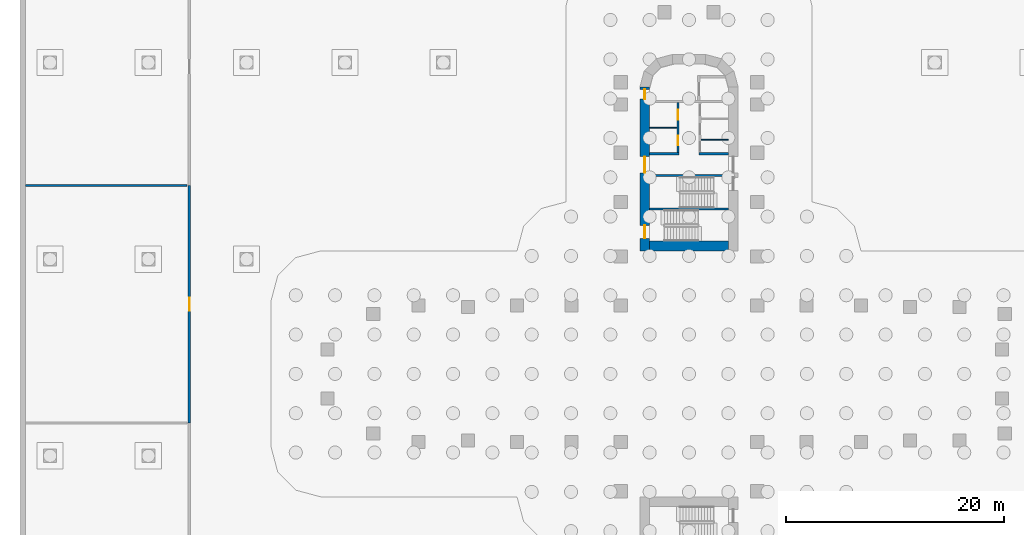
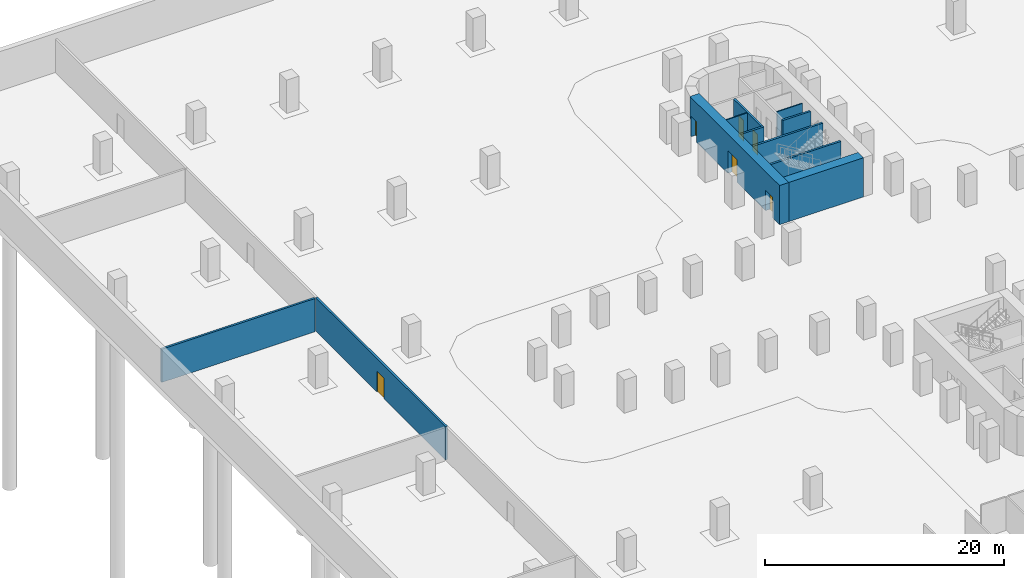
# One storey, part 10 of 14: 11 walls, 6 doors, 6 openings.
"""IFC4 building model written with IfcOpenShell, lengths in metres."""

from ifc_helpers import new_model, si_unit, direction, frame, frame_2d, origin, place, context, subcontext, project, spatial, rectangle, extrude, material, layer, layer_set, type_object, element, fill, save


model = new_model("IFC4")

# Units and contexts
model_context = context("Model", 3, precision=1e-05, world=origin(), true_north=direction((0.0, 1.0)))
body_context = subcontext(model_context, "Body", "Model", "MODEL_VIEW")
ifc_project = project(units=[si_unit("LENGTHUNIT", "METRE"), si_unit("AREAUNIT", "SQUARE_METRE"), si_unit("VOLUMEUNIT", "CUBIC_METRE"), si_unit("PLANEANGLEUNIT", "RADIAN"), si_unit("MASSUNIT", "GRAM", prefix="KILO")], contexts=[model_context])

# Site, building, storey
site_placement = place(None, origin())
site = spatial("IfcSite", under=ifc_project, at=site_placement, CompositionType="ELEMENT")
building_placement = place(site_placement, origin())
building = spatial("IfcBuilding", under=site, at=building_placement, Name="Zarbagh Exchange Tower", CompositionType="ELEMENT")
storey_placement = place(building_placement, frame((0.0, 0.0, -8.0)))
storey = spatial("IfcBuildingStorey", under=building, at=storey_placement, Name="B2", CompositionType="ELEMENT", Elevation=-8.0)

# Walls
ifc_material_1 = material(Name="Dense blockwork", Category="masonry")
ifc_layer_1 = layer(ifc_material_1, 0.10009765625)
ifc_layer_set_1 = layer_set([ifc_layer_1], Name="Core partition 100 mm blockwork")
wall_type_1 = type_object("IfcWallType", Name="Core partition 100 mm blockwork", PredefinedType="PARTITIONING", material=ifc_layer_set_1)
for number, where, z_axis, x_axis, name in (
    (1, (-3.60009765625, 22.550048828125, 0.0), (0.0, 0.0, 1.0), (1.0, 0.0, 0.0), "North core partition wall CUT-W-580"),
    (2, (1.10009765625, 21.449951171875, 0.0), (0.0, 0.0, 1.0), (1.0, 0.0, 0.0), "North core partition wall CUT-E-690"),
):
    element("IfcWall", number, at=place(storey_placement, frame(where, z_axis=z_axis, x_axis=x_axis)), inside=storey, type_object=wall_type_1, Name=name, PredefinedType="PARTITIONING", context=body_context, shape_type="SweptSolid", body=[
        extrude(rectangle(XDim=2.5, YDim=0.10009765625, at=frame_2d((1.25, 0.0))), origin(), (0.0, 0.0, 1.0), 3.39990234375),
    ])

# Wall, opening, door
ifc_material_2 = material(Name="Concrete block partition", Category="concrete")
ifc_layer_2 = layer(ifc_material_2, 0.199951171875)
ifc_layer_set_2 = layer_set([ifc_layer_2], Name="Fire-rated block partition 200 EI 120")
wall_type_2 = type_object("IfcWallType", Name="Fire-rated block partition 200 EI 120", PredefinedType="PARTITIONING", material=ifc_layer_set_2)
wall_1_placement = place(storey_placement, frame((-45.75, -4.5, 0.0), z_axis=(0.0, 0.0, 1.0), x_axis=(0.0, 1.0, 0.0)))
wall_1 = element("IfcWall", 3, at=wall_1_placement, inside=storey, type_object=wall_type_2, Name="WL-B2-W004", PredefinedType="PARTITIONING", context=body_context, shape_type="SweptSolid", body=[
    extrude(rectangle(XDim=21.75, YDim=0.199951171875, at=frame_2d((10.875, 0.0))), origin(), (0.0, 0.0, 1.0), 3.39990234375),
])
opening_1_placement = place(wall_1_placement, frame((10.27490234375, 0.0, 0.0)))
opening_1 = element("IfcOpeningElement", 4, at=opening_1_placement, cuts=wall_1, Name="Opening D39", PredefinedType="OPENING", context=body_context, shape_type="SweptSolid", body=[
    extrude(rectangle(XDim=1.199951171875, YDim=2.10009765625, at=frame_2d((0.60009765625, 1.050048828125))), frame((0.0, 0.10986328125, 0.0), z_axis=(0.0, -1.0, 0.0), x_axis=(1.0, 0.0, 0.0)), (0.0, 0.0, 1.0), 0.219970703125),
])
ifc_material_3 = material(Name="Steel door set", Category="steel")
door_type_1 = type_object("IfcDoorType", Name="Door single 1200x2100 EI 120", OperationType="SINGLE_SWING_LEFT", PredefinedType="DOOR", material=ifc_material_3)
door_1_placement = place(opening_1_placement, origin())
door_1 = element("IfcDoor", 5, at=door_1_placement, inside=storey, type_object=door_type_1, Name="D04", OperationType="SINGLE_SWING_LEFT", OverallHeight=2.10009765625, OverallWidth=1.199951171875, PredefinedType="DOOR", context=body_context, shape_type="SweptSolid", body=[
    extrude(rectangle(XDim=1.199951171875, YDim=2.10009765625, at=frame_2d((0.60009765625, 1.050048828125))), frame((0.0, 0.02490234375, 0.0), z_axis=(0.0, -1.0, 0.0), x_axis=(1.0, 0.0, 0.0)), (0.0, 0.0, 1.0), 0.050048828125),
])
fill(opening_1, door_1)

# Wall
wall_2_placement = place(storey_placement, frame((-60.75, 17.25, 0.0), z_axis=(0.0, 0.0, 1.0), x_axis=(1.0, 0.0, 0.0)))
element("IfcWall", 6, at=wall_2_placement, inside=storey, type_object=wall_type_2, Name="WL-B2-W012", PredefinedType="PARTITIONING", context=body_context, shape_type="SweptSolid", body=[
    extrude(rectangle(XDim=14.800048828125, YDim=0.199951171875, at=frame_2d((7.39990234375, 0.0))), origin(), (0.0, 0.0, 1.0), 3.39990234375),
])

# Wall, openings, doors
ifc_material_4 = material(Name="Concrete C60/75", Category="concrete")
ifc_layer_3 = layer(ifc_material_4, 0.89990234375)
ifc_layer_set_3 = layer_set([ifc_layer_3], Name="RC core wall 900 C60/75")
wall_type_3 = type_object("IfcWallType", Name="RC core wall 900 C60/75", PredefinedType="SHEAR", material=ifc_layer_set_3)
wall_3_placement = place(storey_placement, frame((-4.050048828125, 11.25, 0.0), z_axis=(0.0, 0.0, 1.0), x_axis=(0.0, 1.0, 0.0)))
wall_3 = element("IfcWall", 7, at=wall_3_placement, inside=storey, type_object=wall_type_3, Name="CW1 core N W", PredefinedType="SHEAR", context=body_context, shape_type="SweptSolid", body=[
    extrude(rectangle(XDim=15.0, YDim=0.89990234375, at=frame_2d((7.5, 0.0))), origin(), (0.0, 0.0, 1.0), 4.0),
])
opening_2_placement = place(wall_3_placement, frame((7.14990234375, 0.0, 0.0)))
opening_2 = element("IfcOpeningElement", 8, at=opening_2_placement, cuts=wall_3, Name="Opening CD1-1500", PredefinedType="OPENING", context=body_context, shape_type="SweptSolid", body=[
    extrude(rectangle(XDim=1.5, YDim=2.300048828125, at=frame_2d((0.75, 1.14990234375))), frame((0.0, 0.4599609375, 0.0), z_axis=(0.0, -1.0, 0.0), x_axis=(1.0, 0.0, 0.0)), (0.0, 0.0, 1.0), 0.919921875),
])
opening_3_placement = place(wall_3_placement, frame((13.89990234375, 0.0, 0.0)))
opening_3 = element("IfcOpeningElement", 9, at=opening_3_placement, cuts=wall_3, Name="Opening CD2-900", PredefinedType="OPENING", context=body_context, shape_type="SweptSolid", body=[
    extrude(rectangle(XDim=0.89990234375, YDim=2.10009765625, at=frame_2d((0.449951171875, 1.050048828125))), frame((0.0, 0.4599609375, 0.0), z_axis=(0.0, -1.0, 0.0), x_axis=(1.0, 0.0, 0.0)), (0.0, 0.0, 1.0), 0.919921875),
])
opening_4_placement = place(wall_3_placement, frame((1.14990234375, 0.0, 0.0)))
opening_4 = element("IfcOpeningElement", 10, at=opening_4_placement, cuts=wall_3, Name="Opening SD1-1200", PredefinedType="OPENING", context=body_context, shape_type="SweptSolid", body=[
    extrude(rectangle(XDim=1.199951171875, YDim=2.10009765625, at=frame_2d((0.60009765625, 1.050048828125))), frame((0.0, 0.4599609375, 0.0), z_axis=(0.0, -1.0, 0.0), x_axis=(1.0, 0.0, 0.0)), (0.0, 0.0, 1.0), 0.919921875),
])
ifc_material_5 = material(Name="Steel", Category="steel")
door_type_2 = type_object("IfcDoorType", Name="Exit stair door 1200 x 2100", OperationType="NOTDEFINED", PredefinedType="DOOR", material=ifc_material_5)
door_2_placement = place(opening_4_placement, origin())
door_2 = element("IfcDoor", 11, at=door_2_placement, inside=storey, type_object=door_type_2, Name="North core stair door ST2", OperationType="SINGLE_SWING_LEFT", OverallHeight=2.10009765625, OverallWidth=1.199951171875, PredefinedType="DOOR", context=body_context, shape_type="SweptSolid", body=[
    extrude(rectangle(XDim=1.199951171875, YDim=2.10009765625, at=frame_2d((0.60009765625, 1.050048828125))), frame((0.0, 0.02490234375, 0.0), z_axis=(0.0, -1.0, 0.0), x_axis=(1.0, 0.0, 0.0)), (0.0, 0.0, 1.0), 0.050048828125),
])
fill(opening_4, door_2)
door_type_3 = type_object("IfcDoorType", Name="Firefighting lobby door 900 x 2100", OperationType="NOTDEFINED", PredefinedType="DOOR", material=ifc_material_5)
door_3_placement = place(opening_3_placement, origin())
door_3 = element("IfcDoor", 12, at=door_3_placement, inside=storey, type_object=door_type_3, Name="North core firefighting lobby door FF-W", OperationType="SINGLE_SWING_LEFT", OverallHeight=2.10009765625, OverallWidth=0.89990234375, PredefinedType="DOOR", context=body_context, shape_type="SweptSolid", body=[
    extrude(rectangle(XDim=0.89990234375, YDim=2.10009765625, at=frame_2d((0.449951171875, 1.050048828125))), frame((0.0, 0.02490234375, 0.0), z_axis=(0.0, -1.0, 0.0), x_axis=(1.0, 0.0, 0.0)), (0.0, 0.0, 1.0), 0.050048828125),
])
fill(opening_3, door_3)
door_type_4 = type_object("IfcDoorType", Name="Lift lobby double door 1500 x 2300", OperationType="NOTDEFINED", PredefinedType="DOOR", material=ifc_material_5)
door_4_placement = place(opening_2_placement, origin())
door_4 = element("IfcDoor", 13, at=door_4_placement, inside=storey, type_object=door_type_4, Name="North core lift lobby door LOBBY-W", OperationType="DOUBLE_DOOR_SINGLE_SWING", OverallHeight=2.300048828125, OverallWidth=1.5, PredefinedType="DOOR", context=body_context, shape_type="SweptSolid", body=[
    extrude(rectangle(XDim=1.5, YDim=2.300048828125, at=frame_2d((0.75, 1.14990234375))), frame((0.0, 0.02490234375, 0.0), z_axis=(0.0, -1.0, 0.0), x_axis=(1.0, 0.0, 0.0)), (0.0, 0.0, 1.0), 0.050048828125),
])
fill(opening_2, door_4)

# Walls
wall_4_placement = place(storey_placement, frame((-3.60009765625, 11.699951171875, 0.0), z_axis=(0.0, 0.0, 1.0), x_axis=(1.0, 0.0, 0.0)))
element("IfcWall", 14, at=wall_4_placement, inside=storey, type_object=wall_type_3, Name="CW1 core N inner end", PredefinedType="SHEAR", context=body_context, shape_type="SweptSolid", body=[
    extrude(rectangle(XDim=7.2001953125, YDim=0.89990234375, at=frame_2d((3.60009765625, 0.0))), origin(), (0.0, 0.0, 1.0), 4.0),
])
ifc_layer_4 = layer(ifc_material_1, 0.199951171875)
ifc_layer_set_4 = layer_set([ifc_layer_4], Name="Shaft wall 200 mm blockwork")
wall_type_4 = type_object("IfcWallType", Name="Shaft wall 200 mm blockwork", PredefinedType="PARTITIONING", material=ifc_layer_set_4)
wall_5_placement = place(storey_placement, frame((-3.60009765625, 20.14990234375, 0.0), z_axis=(0.0, 0.0, 1.0), x_axis=(1.0, 0.0, 0.0)))
element("IfcWall", 15, at=wall_5_placement, inside=storey, type_object=wall_type_4, Name="North core shaft wall AB-W", PredefinedType="PARTITIONING", context=body_context, shape_type="SweptSolid", body=[
    extrude(rectangle(XDim=2.7001953125, YDim=0.199951171875, at=frame_2d((1.35009765625, 0.0))), origin(), (0.0, 0.0, 1.0), 3.39990234375),
])

# Wall, openings, doors
wall_6_placement = place(storey_placement, frame((-1.0, 24.85009765625, 0.0), z_axis=(0.0, 0.0, 1.0), x_axis=(0.0, -1.0, 0.0)))
wall_6 = element("IfcWall", 16, at=wall_6_placement, inside=storey, type_object=wall_type_4, Name="North core shaft wall LW-W", PredefinedType="PARTITIONING", context=body_context, shape_type="SweptSolid", body=[
    extrude(rectangle(XDim=4.60009765625, YDim=0.199951171875, at=frame_2d((2.300048828125, 0.0))), origin(), (0.0, 0.0, 1.0), 3.39990234375),
])
opening_5_placement = place(wall_6_placement, frame((0.675048828125, 0.0, 0.0)))
opening_5 = element("IfcOpeningElement", 17, at=opening_5_placement, cuts=wall_6, Name="Opening CD3-900", PredefinedType="OPENING", context=body_context, shape_type="SweptSolid", body=[
    extrude(rectangle(XDim=0.89990234375, YDim=2.10009765625, at=frame_2d((0.449951171875, 1.050048828125))), frame((0.0, 0.10986328125, 0.0), z_axis=(0.0, -1.0, 0.0), x_axis=(1.0, 0.0, 0.0)), (0.0, 0.0, 1.0), 0.219970703125),
])
opening_6_placement = place(wall_6_placement, frame((3.02490234375, 0.0, 0.0)))
opening_6 = element("IfcOpeningElement", 18, at=opening_6_placement, cuts=wall_6, Name="Opening CD3-900", PredefinedType="OPENING", context=body_context, shape_type="SweptSolid", body=[
    extrude(rectangle(XDim=0.89990234375, YDim=2.10009765625, at=frame_2d((0.449951171875, 1.050048828125))), frame((0.0, 0.10986328125, 0.0), z_axis=(0.0, -1.0, 0.0), x_axis=(1.0, 0.0, 0.0)), (0.0, 0.0, 1.0), 0.219970703125),
])
door_type_5 = type_object("IfcDoorType", Name="Core room door 900 x 2100", OperationType="NOTDEFINED", PredefinedType="DOOR", material=ifc_material_5)
door_5_placement = place(opening_5_placement, origin())
door_5 = element("IfcDoor", 19, at=door_5_placement, inside=storey, type_object=door_type_5, Name="North core Pump room door RD-W-0", OperationType="SINGLE_SWING_LEFT", OverallHeight=2.10009765625, OverallWidth=0.89990234375, PredefinedType="DOOR", context=body_context, shape_type="SweptSolid", body=[
    extrude(rectangle(XDim=0.89990234375, YDim=2.10009765625, at=frame_2d((0.449951171875, 1.050048828125))), frame((0.0, 0.02490234375, 0.0), z_axis=(0.0, -1.0, 0.0), x_axis=(1.0, 0.0, 0.0)), (0.0, 0.0, 1.0), 0.050048828125),
])
fill(opening_5, door_5)
door_6_placement = place(opening_6_placement, origin())
door_6 = element("IfcDoor", 20, at=door_6_placement, inside=storey, type_object=door_type_5, Name="North core Tank room door RD-W-1", OperationType="SINGLE_SWING_RIGHT", OverallHeight=2.10009765625, OverallWidth=0.89990234375, PredefinedType="DOOR", context=body_context, shape_type="SweptSolid", body=[
    extrude(rectangle(XDim=0.89990234375, YDim=2.10009765625, at=frame_2d((0.449951171875, 1.050048828125))), frame((0.0, 0.02490234375, 0.0), z_axis=(0.0, -1.0, 0.0), x_axis=(1.0, 0.0, 0.0)), (0.0, 0.0, 1.0), 0.050048828125),
])
fill(opening_6, door_6)

# Walls
wall_7_placement = place(storey_placement, frame((0.89990234375, 20.14990234375, 0.0), z_axis=(0.0, 0.0, 1.0), x_axis=(1.0, 0.0, 0.0)))
element("IfcWall", 21, at=wall_7_placement, inside=storey, type_object=wall_type_4, Name="North core shaft wall AB-E", PredefinedType="PARTITIONING", context=body_context, shape_type="SweptSolid", body=[
    extrude(rectangle(XDim=2.7001953125, YDim=0.199951171875, at=frame_2d((1.35009765625, 0.0))), origin(), (0.0, 0.0, 1.0), 3.39990234375),
])
ifc_material_6 = material(Name="Concrete C40/50", Category="concrete")
ifc_layer_5 = layer(ifc_material_6, 0.199951171875)
ifc_layer_set_5 = layer_set([ifc_layer_5], Name="Stair enclosure wall 200 mm RC C40/50")
wall_type_5 = type_object("IfcWallType", Name="Stair enclosure wall 200 mm RC C40/50", PredefinedType="SHEAR", material=ifc_layer_set_5)
for number, where, z_axis, x_axis, name in (
    (22, (-3.60009765625, 18.14990234375, 0.0), (0.0, 0.0, 1.0), (1.0, 0.0, 0.0), "North core stair wall BS"),
    (23, (-3.60009765625, 15.10009765625, 0.0), (0.0, 0.0, 1.0), (1.0, 0.0, 0.0), "North core stair wall ST12"),
):
    element("IfcWall", number, at=place(storey_placement, frame(where, z_axis=z_axis, x_axis=x_axis)), inside=storey, type_object=wall_type_5, Name=name, PredefinedType="SHEAR", context=body_context, shape_type="SweptSolid", body=[
        extrude(rectangle(XDim=7.2001953125, YDim=0.199951171875, at=frame_2d((3.60009765625, 0.0))), origin(), (0.0, 0.0, 1.0), 3.39990234375),
    ])

save(model, "model.ifc")
